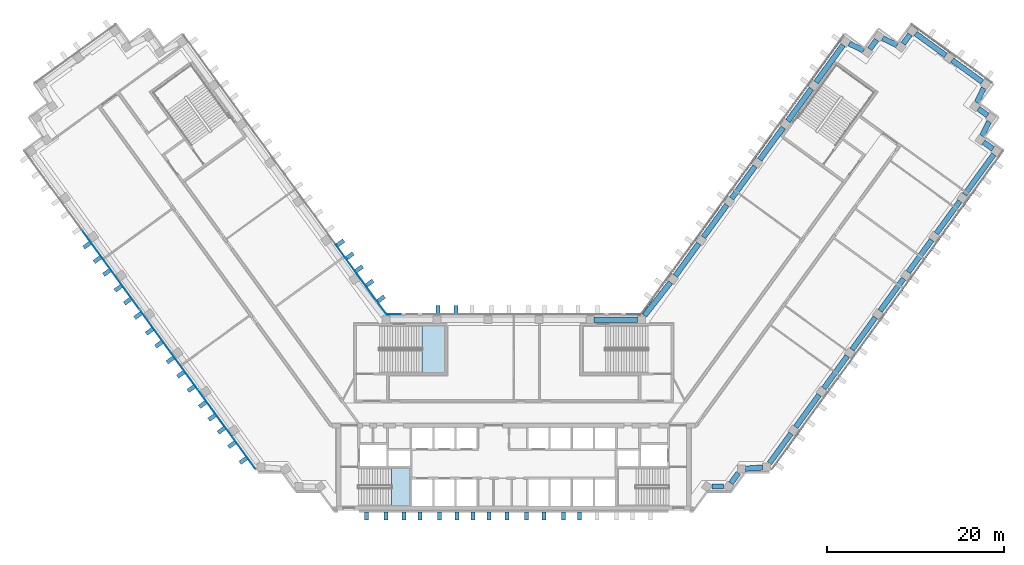
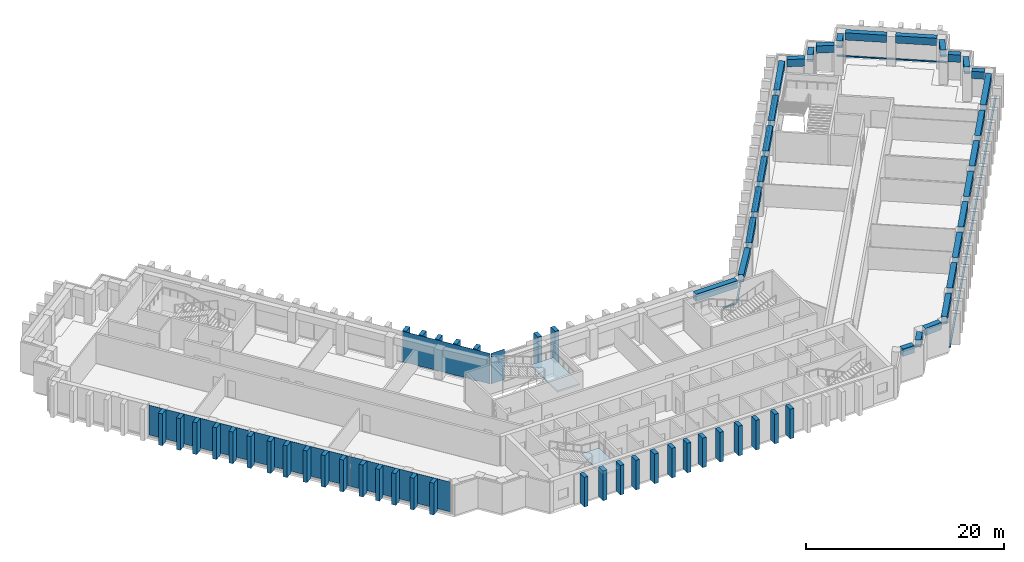
"""IFC4 building model written with IfcOpenShell, lengths in metres."""

import ifcopenshell
import ifcopenshell.guid

model = None  # the IFC model being written
_history = None  # IfcOwnerHistory: only IFC2X3 demands one
_inside = {}  # id of a spatial element -> (the spatial element, [elements in it])
_under = {}  # id of a project, library or spatial element -> (it, [spatial elements below it])
_declared = {}  # id of a project -> (the project, [libraries it declares])
_typed = {}  # id of a type object -> (the type object, [elements of that type])
_made_of = {}  # id of a material, layer set ... -> (it, [elements and type objects made of it])


def new_model(schema):
    """Start an empty IFC model of exactly this schema.

    Asked for "IFC4X3", IfcOpenShell would pick the latest addendum, in which some entities
    have other attributes; the version numbers below select the first issue.
    IFC2X3 requires an IfcOwnerHistory on every rooted entity: one is made here for all.
    """
    global model, _history
    if schema == "IFC4X3":
        model = ifcopenshell.file(schema_version=(4, 3, 0, 0))
    else:
        model = ifcopenshell.file(schema=schema)
    _inside.clear()
    _under.clear()
    _declared.clear()
    _typed.clear()
    _made_of.clear()
    _history = None
    if model.schema == "IFC2X3":
        org = make("IfcOrganization", Name="unknown")
        user = make(
            "IfcPersonAndOrganization",
            ThePerson=make("IfcPerson", FamilyName="unknown"),
            TheOrganization=org,
        )
        app = make(
            "IfcApplication",
            ApplicationDeveloper=org,
            Version="unknown",
            ApplicationFullName="unknown",
            ApplicationIdentifier="unknown",
        )
        _history = make(
            "IfcOwnerHistory",
            OwningUser=user,
            OwningApplication=app,
            ChangeAction="ADDED",
            CreationDate=0,
        )
    return model


def make(cls, **values):
    """One entity of the class cls with the attributes given. An attribute that is None is left unset."""
    return model.create_entity(
        cls, **{name: value for name, value in values.items() if value is not None}
    )


def rooted(cls, **values):
    """An entity with a GlobalId (a new one), such as an element, a storey or a relation."""
    return make(cls, GlobalId=ifcopenshell.guid.new(), OwnerHistory=_history, **values)


def si_unit(unit_type, name, prefix=None):
    """IfcSIUnit, for example si_unit("LENGTHUNIT", "METRE", prefix="MILLI")."""
    return make("IfcSIUnit", UnitType=unit_type, Prefix=prefix, Name=name)


def assignment(units):
    """IfcUnitAssignment: the units of a project."""
    return None if units is None else make("IfcUnitAssignment", Units=units)


def point(xyz):
    """IfcCartesianPoint."""
    return None if xyz is None else make("IfcCartesianPoint", Coordinates=xyz)


def direction(xyz):
    """IfcDirection."""
    return None if xyz is None else make("IfcDirection", DirectionRatios=xyz)


def frame(location, z_axis=None, x_axis=None):
    """IfcAxis2Placement3D, a coordinate frame: its origin and axes. An axis left out is left unset."""
    return make(
        "IfcAxis2Placement3D",
        Location=point(location),
        Axis=direction(z_axis),
        RefDirection=direction(x_axis),
    )


def frame_2d(location, x_axis=None):
    """IfcAxis2Placement2D, a coordinate frame in the plane: its origin and x axis."""
    return make(
        "IfcAxis2Placement2D", Location=point(location), RefDirection=direction(x_axis)
    )


def origin():
    """The frame at (0, 0, 0) with its axes left unset."""
    return frame((0.0, 0.0, 0.0))


def origin_2d():
    """The frame at (0, 0) in the plane with its x axis left unset."""
    return frame_2d((0.0, 0.0))


def place(relative_to, where):
    """IfcLocalPlacement: puts the frame where relative to a parent placement (None: the world)."""
    return make(
        "IfcLocalPlacement", PlacementRelTo=relative_to, RelativePlacement=where
    )


def context(
    kind, dimensions, precision=None, world=None, true_north=None, identifier=None
):
    """IfcGeometricRepresentationContext, for example the 3D "Model" context."""
    return make(
        "IfcGeometricRepresentationContext",
        ContextIdentifier=identifier,
        ContextType=kind,
        CoordinateSpaceDimension=dimensions,
        Precision=precision,
        WorldCoordinateSystem=world,
        TrueNorth=true_north,
    )


def subcontext(parent, identifier, kind, view, scale=None):
    """IfcGeometricRepresentationSubContext, for example "Body" below "Model"."""
    return make(
        "IfcGeometricRepresentationSubContext",
        ContextIdentifier=identifier,
        ContextType=kind,
        ParentContext=parent,
        TargetScale=scale,
        TargetView=view,
    )


def project(units=None, contexts=None):
    """IfcProject with its units and contexts."""
    return rooted(
        "IfcProject",
        Name="project",
        RepresentationContexts=contexts,
        UnitsInContext=assignment(units),
    )


def spatial(cls, under=None, at=None, **own):
    """A site, building, storey or space (cls), placed at a placement, below another one or the project."""
    s = rooted(cls, ObjectPlacement=at, **own)
    if under is not None:
        _under.setdefault(under.id(), (under, []))[1].append(s)
    return s


def polyline(points):
    """IfcPolyline through the points."""
    return make("IfcPolyline", Points=[point(p) for p in points])


def profile(cls, at=None, kind="AREA", **sizes):
    """A parametric profile (cls). Its sizes go by their IFC names, for example OverallWidth=200.0."""
    return make(cls, ProfileType=kind, Position=at, **sizes)


def rectangle(**sizes):
    """IfcRectangleProfileDef."""
    return profile("IfcRectangleProfileDef", **sizes)


def outline(outer, holes=None, kind="AREA"):
    """IfcArbitraryClosedProfileDef: a profile drawn as a closed curve; with holes, ...WithVoids."""
    if holes is None:
        return make("IfcArbitraryClosedProfileDef", ProfileType=kind, OuterCurve=outer)
    return make(
        "IfcArbitraryProfileDefWithVoids",
        ProfileType=kind,
        OuterCurve=outer,
        InnerCurves=holes,
    )


def extrude(swept, where, along, depth):
    """IfcExtrudedAreaSolid: the profile swept, set in the frame where, extruded along a direction by depth."""
    return make(
        "IfcExtrudedAreaSolid",
        SweptArea=swept,
        Position=where,
        ExtrudedDirection=direction(along),
        Depth=depth,
    )


def shape(context_of_items, identifier, shape_type, items):
    """IfcShapeRepresentation: the items that make up one representation, for example the "Body"."""
    return make(
        "IfcShapeRepresentation",
        ContextOfItems=context_of_items,
        RepresentationIdentifier=identifier,
        RepresentationType=shape_type,
        Items=items,
    )


def material(Name=None, Category=None):
    """IfcMaterial."""
    return make("IfcMaterial", Name=Name, Category=Category)


def layer(
    of_material, thickness, ventilated=None, Name=None, Category=None, Priority=None
):
    """IfcMaterialLayer: one layer of a wall or slab, of a material (None: an air gap)."""
    return make(
        "IfcMaterialLayer",
        Material=of_material,
        LayerThickness=thickness,
        IsVentilated=ventilated,
        Name=Name,
        Category=Category,
        Priority=Priority,
    )


def layer_set(layers, Name=None):
    """IfcMaterialLayerSet."""
    return make("IfcMaterialLayerSet", MaterialLayers=layers, LayerSetName=Name)


def material_profile(
    of_material, cross_section, Name=None, Category=None, Priority=None
):
    """IfcMaterialProfile: a cross section and its material."""
    return make(
        "IfcMaterialProfile",
        Name=Name,
        Material=of_material,
        Profile=cross_section,
        Priority=Priority,
        Category=Category,
    )


def profile_set(profiles, Name=None, composite=None):
    """IfcMaterialProfileSet."""
    return make(
        "IfcMaterialProfileSet",
        Name=Name,
        MaterialProfiles=profiles,
        CompositeProfile=composite,
    )


def made_of(thing, what):
    """Note that an element or type object is made of a material, layer set ...; save() writes the relation."""
    if what is not None:
        _made_of.setdefault(what.id(), (what, []))[1].append(thing)
    return thing


def type_object(cls, material=None, **own):
    """A type object (cls), such as IfcWallType, which elements share."""
    return made_of(rooted(cls, **own), material)


def element(
    cls,
    number,
    at=None,
    inside=None,
    cuts=None,
    type_object=None,
    material=None,
    context=None,
    identifier="Body",
    shape_type=None,
    held_by="IfcProductDefinitionShape",
    body=None,
    shapes=None,
    **own,
):
    """One element of the class cls, such as IfcWall. Its Tag is "e" and its number.

    at: its placement. inside: the storey or other place that contains it. cuts: it is an
    opening in that element (IfcRelVoidsElement). A single representation is given by context,
    identifier, shape_type and body (its items); several are given by shapes. held_by: the class
    of the entity that holds the representations. save() writes the other relations.
    """
    e = rooted(cls, Tag="e%d" % number, ObjectPlacement=at, **own)
    if body is not None:
        shapes = [shape(context, identifier, shape_type, body)]
    if shapes is not None:
        e.Representation = make(held_by, Representations=shapes)
    if inside is not None:
        _inside.setdefault(inside.id(), (inside, []))[1].append(e)
    if cuts is not None:
        rooted(
            "IfcRelVoidsElement", RelatingBuildingElement=cuts, RelatedOpeningElement=e
        )
    if type_object is not None:
        _typed.setdefault(type_object.id(), (type_object, []))[1].append(e)
    return made_of(e, material)


def aggregate(whole, parts):
    """IfcRelAggregates: a whole, such as a stair, and the parts it consists of."""
    return rooted("IfcRelAggregates", RelatingObject=whole, RelatedObjects=parts)


def save(model, path):
    """Write the relations noted so far, then the file.

    IfcRelAggregates (storeys below a building ...), IfcRelContainedInSpatialStructure (elements
    in a storey), IfcRelDefinesByType, IfcRelAssociatesMaterial and IfcRelDeclares: one each for
    every whole, place, type object, material and project.
    """
    for whole, parts in _under.values():
        aggregate(whole, parts)
    for where, things in _inside.values():
        rooted(
            "IfcRelContainedInSpatialStructure",
            RelatedElements=things,
            RelatingStructure=where,
        )
    for kind, things in _typed.values():
        rooted("IfcRelDefinesByType", RelatedObjects=things, RelatingType=kind)
    for what, things in _made_of.values():
        rooted("IfcRelAssociatesMaterial", RelatedObjects=things, RelatingMaterial=what)
    for by, libraries in _declared.values():
        rooted("IfcRelDeclares", RelatingContext=by, RelatedDefinitions=libraries)
    model.write(path)


model = new_model("IFC4")

# Units and contexts
model_context = context("Model", 3, precision=1e-05, world=origin(), true_north=direction((0.0, 1.0)))
body_context = subcontext(model_context, "Body", "Model", "MODEL_VIEW")
ifc_project = project(units=[si_unit("LENGTHUNIT", "METRE"), si_unit("AREAUNIT", "SQUARE_METRE"), si_unit("VOLUMEUNIT", "CUBIC_METRE"), si_unit("PLANEANGLEUNIT", "RADIAN"), si_unit("MASSUNIT", "GRAM", prefix="KILO")], contexts=[model_context])

# Site, building, storey
site_placement = place(None, origin())
site = spatial("IfcSite", under=ifc_project, at=site_placement, CompositionType="ELEMENT")
building_placement = place(site_placement, origin())
building = spatial("IfcBuilding", under=site, at=building_placement, Name="Quipu Civic Tower", CompositionType="ELEMENT")
storey_1_placement = place(building_placement, frame((0.0, 0.0, 31.0)))
storey_1 = spatial("IfcBuildingStorey", under=building, at=storey_1_placement, Name="L06", CompositionType="ELEMENT", Elevation=31.0)

# Beams
ifc_material_1 = material(Name="Concrete C50/60", Category="concrete")
ifc_material_profile_1 = material_profile(ifc_material_1, rectangle(XDim=0.60009765625, YDim=0.89990234375, at=origin_2d()), Name="RC600x900")
ifc_profile_set_1 = profile_set([ifc_material_profile_1], Name="Concrete C50/60")
beam_type = type_object("IfcBeamType", Name="Spandrel beam RC 600x900 C50/60", PredefinedType="SPANDREL", material=ifc_profile_set_1)
beam_1_placement = place(storey_1_placement, frame((22.34814453125, -8.31494140625, 3.199951171875), z_axis=(1.0, 0.0, 0.0), x_axis=(0.0, 1.0, 0.0)))
element("IfcBeam", 1, at=beam_1_placement, inside=storey_1, type_object=beam_type, Name="Spandrel beam L06 J-Eo.1 to J-Eo.2", PredefinedType="SPANDREL", context=body_context, shape_type="SweptSolid", body=[
    extrude(rectangle(XDim=0.60009765625, YDim=0.89990234375, at=origin_2d()), origin(), (0.0, 0.0, 1.0), 1.33056640625),
])
beam_2_placement = place(storey_1_placement, frame((24.499755859375, -7.951171875, 3.199951171875), z_axis=(0.588433824377, 0.808545381738, 0.0), x_axis=(-0.808545381738, 0.588433824377, 0.0)))
element("IfcBeam", 2, at=beam_2_placement, inside=storey_1, type_object=beam_type, Name="Spandrel beam L06 J-Eo.2 to J-Eo.3", PredefinedType="SPANDREL", context=body_context, shape_type="SweptSolid", body=[
    extrude(rectangle(XDim=0.60009765625, YDim=0.89990234375, at=origin_2d()), origin(), (0.0, 0.0, 1.0), 1.439697265625),
])
beam_3_placement = place(storey_1_placement, frame((26.12451171875, -6.304443359375, 3.199951171875), z_axis=(0.997365981169, 0.072533437859, 0.0), x_axis=(-0.072533437859, 0.997365981169, 0.0)))
element("IfcBeam", 3, at=beam_3_placement, inside=storey_1, type_object=beam_type, Name="Spandrel beam L06 J-Eo.3 to J-Eo.4", PredefinedType="SPANDREL", context=body_context, shape_type="SweptSolid", body=[
    extrude(rectangle(XDim=0.60009765625, YDim=0.89990234375, at=origin_2d()), origin(), (0.0, 0.0, 1.0), 1.95556640625),
])
beam_4_placement = place(storey_1_placement, frame((28.85205078125, -5.679931640625, 3.199951171875), z_axis=(0.587750565781, 0.809042194464, 0.0), x_axis=(-0.809042194464, 0.587750565781, 0.0)))
element("IfcBeam", 4, at=beam_4_placement, inside=storey_1, type_object=beam_type, Name="Spandrel beam L06 J-Eo.4 to E-OUT-01", PredefinedType="SPANDREL", context=body_context, shape_type="SweptSolid", body=[
    extrude(rectangle(XDim=0.60009765625, YDim=0.89990234375, at=origin_2d()), origin(), (0.0, 0.0, 1.0), 4.13720703125),
])
beam_5_placement = place(storey_1_placement, frame((31.812744140625, -1.604736328125, 3.199951171875), z_axis=(0.587778073121, 0.809022210299, 0.0), x_axis=(-0.809022210299, 0.587778073121, 0.0)))
element("IfcBeam", 5, at=beam_5_placement, inside=storey_1, type_object=beam_type, Name="Spandrel beam L06 E-OUT-01 to E-OUT-02", PredefinedType="SPANDREL", context=body_context, shape_type="SweptSolid", body=[
    extrude(rectangle(XDim=0.60009765625, YDim=0.89990234375, at=origin_2d()), origin(), (0.0, 0.0, 1.0), 4.5),
])
beam_6_placement = place(storey_1_placement, frame((34.98681640625, 2.76416015625, 3.199951171875), z_axis=(0.587803872688, 0.809003465539, 0.0), x_axis=(-0.809003465539, 0.587803872688, 0.0)))
element("IfcBeam", 6, at=beam_6_placement, inside=storey_1, type_object=beam_type, Name="Spandrel beam L06 E-OUT-02 to E-OUT-03", PredefinedType="SPANDREL", context=body_context, shape_type="SweptSolid", body=[
    extrude(rectangle(XDim=0.60009765625, YDim=0.89990234375, at=origin_2d()), origin(), (0.0, 0.0, 1.0), 4.499755859375),
])
for number, where, z_axis, x_axis, name in (
    (7, (38.160888671875, 7.1328125, 3.199951171875), (0.587778073121, 0.809022210299, 0.0), (-0.809022210299, 0.587778073121, 0.0), "Spandrel beam L06 E-OUT-03 to E-OUT-04"),
    (8, (41.3349609375, 11.50146484375, 3.199951171875), (0.587778073121, 0.809022210299, 0.0), (-0.809022210299, 0.587778073121, 0.0), "Spandrel beam L06 E-OUT-04 to E-OUT-05"),
):
    element("IfcBeam", number, at=place(storey_1_placement, frame(where, z_axis=z_axis, x_axis=x_axis)), inside=storey_1, type_object=beam_type, Name=name, PredefinedType="SPANDREL", context=body_context, shape_type="SweptSolid", body=[
        extrude(rectangle(XDim=0.60009765625, YDim=0.89990234375, at=origin_2d()), origin(), (0.0, 0.0, 1.0), 4.5),
    ])
beam_7_placement = place(storey_1_placement, frame((44.5087890625, 15.870361328125, 3.199951171875), z_axis=(0.587803872688, 0.809003465539, 0.0), x_axis=(-0.809003465539, 0.587803872688, 0.0)))
element("IfcBeam", 9, at=beam_7_placement, inside=storey_1, type_object=beam_type, Name="Spandrel beam L06 E-OUT-05 to E-OUT-06", PredefinedType="SPANDREL", context=body_context, shape_type="SweptSolid", body=[
    extrude(rectangle(XDim=0.60009765625, YDim=0.89990234375, at=origin_2d()), origin(), (0.0, 0.0, 1.0), 4.499755859375),
])
beam_8_placement = place(storey_1_placement, frame((47.682861328125, 20.23876953125, 3.199951171875), z_axis=(0.587778073121, 0.809022210299, 0.0), x_axis=(-0.809022210299, 0.587778073121, 0.0)))
element("IfcBeam", 10, at=beam_8_placement, inside=storey_1, type_object=beam_type, Name="Spandrel beam L06 E-OUT-06 to E-OUT-07", PredefinedType="SPANDREL", context=body_context, shape_type="SweptSolid", body=[
    extrude(rectangle(XDim=0.60009765625, YDim=0.89990234375, at=origin_2d()), origin(), (0.0, 0.0, 1.0), 4.5),
])
beam_9_placement = place(storey_1_placement, frame((50.85693359375, 24.607666015625, 3.199951171875), z_axis=(0.587772657145, 0.809026145135, 0.0), x_axis=(-0.809026145135, 0.587772657145, 0.0)))
element("IfcBeam", 11, at=beam_9_placement, inside=storey_1, type_object=beam_type, Name="Spandrel beam L06 E-OUT-07 to T-Eo.0-E50", PredefinedType="SPANDREL", context=body_context, shape_type="SweptSolid", body=[
    extrude(rectangle(XDim=0.60009765625, YDim=0.89990234375, at=origin_2d()), origin(), (0.0, 0.0, 1.0), 5.603271484375),
])
beam_10_placement = place(storey_1_placement, frame((54.051025390625, 29.769775390625, 3.199951171875), z_axis=(-0.808549242423, 0.588428519514, 0.0), x_axis=(-0.588428519514, -0.808549242423, 0.0)))
element("IfcBeam", 12, at=beam_10_placement, inside=storey_1, type_object=beam_type, Name="Spandrel beam L06 T-Eo.0-E50 to T-Eo.1-E50", PredefinedType="SPANDREL", context=body_context, shape_type="SweptSolid", body=[
    extrude(rectangle(XDim=0.60009765625, YDim=0.89990234375, at=origin_2d()), origin(), (0.0, 0.0, 1.0), 1.2998046875),
])
beam_11_placement = place(storey_1_placement, frame((52.83349609375, 31.21240234375, 3.199951171875), z_axis=(0.431446050156, 0.902138739776, 0.0), x_axis=(-0.902138739776, 0.431446050156, 0.0)))
element("IfcBeam", 13, at=beam_11_placement, inside=storey_1, type_object=beam_type, Name="Spandrel beam L06 T-Eo.1-E50 to T-Eo.2-E50", PredefinedType="SPANDREL", context=body_context, shape_type="SweptSolid", body=[
    extrude(rectangle(XDim=0.60009765625, YDim=0.89990234375, at=origin_2d()), origin(), (0.0, 0.0, 1.0), 1.828857421875),
])
beam_12_placement = place(storey_1_placement, frame((53.4560546875, 33.539794921875, 3.199951171875), z_axis=(-0.808509099783, 0.588483674853, 0.0), x_axis=(-0.588483674853, -0.808509099783, 0.0)))
element("IfcBeam", 14, at=beam_12_placement, inside=storey_1, type_object=beam_type, Name="Spandrel beam L06 T-Eo.2-E50 to T-Eo.3-E50", PredefinedType="SPANDREL", context=body_context, shape_type="SweptSolid", body=[
    extrude(rectangle(XDim=0.60009765625, YDim=0.89990234375, at=origin_2d()), origin(), (0.0, 0.0, 1.0), 1.302734375),
])
beam_13_placement = place(storey_1_placement, frame((52.23583984375, 34.984375, 3.199951171875), z_axis=(0.430166558323, 0.902749540072, 0.0), x_axis=(-0.902749540072, 0.430166558323, 0.0)))
element("IfcBeam", 15, at=beam_13_placement, inside=storey_1, type_object=beam_type, Name="Spandrel beam L06 T-Eo.3-E50 to T-Eo.4-E50", PredefinedType="SPANDREL", context=body_context, shape_type="SweptSolid", body=[
    extrude(rectangle(XDim=0.60009765625, YDim=0.89990234375, at=origin_2d()), origin(), (0.0, 0.0, 1.0), 1.830322265625),
])
beam_14_placement = place(storey_1_placement, frame((52.85595703125, 37.314453125, 3.199951171875), z_axis=(-0.808959834407, 0.587863918196, 0.0), x_axis=(-0.587863918196, -0.808959834407, 0.0)))
element("IfcBeam", 16, at=beam_14_placement, inside=storey_1, type_object=beam_type, Name="Spandrel beam L06 T-Eo.4-E50 to TIP-E-01-E50", PredefinedType="SPANDREL", context=body_context, shape_type="SweptSolid", body=[
    extrude(rectangle(XDim=0.60009765625, YDim=0.89990234375, at=origin_2d()), origin(), (0.0, 0.0, 1.0), 4.1982421875),
])
beam_15_placement = place(storey_1_placement, frame((48.731689453125, 40.3115234375, 3.199951171875), z_axis=(-0.808969789945, 0.58785021813, 0.0), x_axis=(-0.58785021813, -0.808969789945, 0.0)))
element("IfcBeam", 17, at=beam_15_placement, inside=storey_1, type_object=beam_type, Name="Spandrel beam L06 TIP-E-01-E50 to T-Ei.0-E50", PredefinedType="SPANDREL", context=body_context, shape_type="SweptSolid", body=[
    extrude(rectangle(XDim=0.60009765625, YDim=0.89990234375, at=origin_2d()), origin(), (0.0, 0.0, 1.0), 4.199951171875),
])
beam_16_placement = place(storey_1_placement, frame((44.705322265625, 42.68115234375, 3.199951171875), z_axis=(-0.588383572423, -0.808581951136, 0.0), x_axis=(0.808581951136, -0.588383572423, 0.0)))
element("IfcBeam", 18, at=beam_16_placement, inside=storey_1, type_object=beam_type, Name="Spandrel beam L06 T-Ei.0-E50 to T-Ei.1-E50", PredefinedType="SPANDREL", context=body_context, shape_type="SweptSolid", body=[
    extrude(rectangle(XDim=0.60009765625, YDim=0.89990234375, at=origin_2d()), origin(), (0.0, 0.0, 1.0), 1.3017578125),
])
beam_17_placement = place(storey_1_placement, frame((43.261474609375, 41.4619140625, 3.199951171875), z_axis=(-0.902613270121, 0.430452418511, 0.0), x_axis=(-0.430452418511, -0.902613270121, 0.0)))
element("IfcBeam", 19, at=beam_17_placement, inside=storey_1, type_object=beam_type, Name="Spandrel beam L06 T-Ei.1-E50 to T-Ei.2-E50", PredefinedType="SPANDREL", context=body_context, shape_type="SweptSolid", body=[
    extrude(rectangle(XDim=0.60009765625, YDim=0.89990234375, at=origin_2d()), origin(), (0.0, 0.0, 1.0), 1.826416015625),
])
beam_18_placement = place(storey_1_placement, frame((40.935302734375, 42.0810546875, 3.199951171875), z_axis=(-0.588461937499, -0.808524921146, 0.0), x_axis=(0.808524921146, -0.588461937499, 0.0)))
element("IfcBeam", 20, at=beam_18_placement, inside=storey_1, type_object=beam_type, Name="Spandrel beam L06 T-Ei.2-E50 to T-Ei.3-E50", PredefinedType="SPANDREL", context=body_context, shape_type="SweptSolid", body=[
    extrude(rectangle(XDim=0.60009765625, YDim=0.89990234375, at=origin_2d()), origin(), (0.0, 0.0, 1.0), 1.30029296875),
])
beam_19_placement = place(storey_1_placement, frame((39.492431640625, 40.863037109375, 3.199951171875), z_axis=(-0.90245397739, 0.430786279601, 0.0), x_axis=(-0.430786279601, -0.90245397739, 0.0)))
element("IfcBeam", 21, at=beam_19_placement, inside=storey_1, type_object=beam_type, Name="Spandrel beam L06 T-Ei.3-E50 to T-Ei.4-E50", PredefinedType="SPANDREL", context=body_context, shape_type="SweptSolid", body=[
    extrude(rectangle(XDim=0.60009765625, YDim=0.89990234375, at=origin_2d()), origin(), (0.0, 0.0, 1.0), 1.83349609375),
])
beam_20_placement = place(storey_1_placement, frame((37.160400390625, 41.48583984375, 3.199951171875), z_axis=(-0.587732861365, -0.80905505602, 0.0), x_axis=(0.80905505602, -0.587732861365, 0.0)))
element("IfcBeam", 22, at=beam_20_placement, inside=storey_1, type_object=beam_type, Name="Spandrel beam L06 T-Ei.4-E50 to E-IN-06", PredefinedType="SPANDREL", context=body_context, shape_type="SweptSolid", body=[
    extrude(rectangle(XDim=0.60009765625, YDim=0.89990234375, at=origin_2d()), origin(), (0.0, 0.0, 1.0), 5.194580078125),
])
for number, where, z_axis, x_axis, name in (
    (23, (33.578369140625, 36.55517578125, 3.199951171875), (-0.587716763865, -0.809066749701, 0.0), (0.809066749701, -0.587716763865, 0.0), "Spandrel beam L06 E-IN-06 to E-IN-05"),
    (24, (30.404541015625, 32.186279296875, 3.199951171875), (-0.587742561851, -0.809048009076, 0.0), (0.809048009076, -0.587742561851, 0.0), "Spandrel beam L06 E-IN-05 to E-IN-04"),
    (25, (27.230712890625, 27.8173828125, 3.199951171875), (-0.587778073121, -0.809022210299, 0.0), (0.809022210299, -0.587778073121, 0.0), "Spandrel beam L06 E-IN-04 to E-IN-03"),
    (26, (24.056884765625, 23.448486328125, 3.199951171875), (-0.587778073121, -0.809022210299, 0.0), (0.809022210299, -0.587778073121, 0.0), "Spandrel beam L06 E-IN-03 to E-IN-02"),
    (27, (20.8828125, 19.079833984375, 3.199951171875), (-0.587716763865, -0.809066749701, 0.0), (0.809066749701, -0.587716763865, 0.0), "Spandrel beam L06 E-IN-02 to E-IN-01"),
):
    element("IfcBeam", number, at=place(storey_1_placement, frame(where, z_axis=z_axis, x_axis=x_axis)), inside=storey_1, type_object=beam_type, Name=name, PredefinedType="SPANDREL", context=body_context, shape_type="SweptSolid", body=[
        extrude(rectangle(XDim=0.60009765625, YDim=0.89990234375, at=origin_2d()), origin(), (0.0, 0.0, 1.0), 4.5),
    ])
beam_21_placement = place(storey_1_placement, frame((17.6962890625, 14.72021484375, 3.199951171875), z_axis=(-0.616123961998, -0.787649200756, 0.0), x_axis=(0.787649200756, -0.616123961998, 0.0)))
element("IfcBeam", 28, at=beam_21_placement, inside=storey_1, type_object=beam_type, Name="Spandrel beam L06 E-IN-01 to J-Ei.0", PredefinedType="SPANDREL", context=body_context, shape_type="SweptSolid", body=[
    extrude(rectangle(XDim=0.60009765625, YDim=0.89990234375, at=origin_2d()), origin(), (0.0, 0.0, 1.0), 4.78662109375),
])
beam_22_placement = place(storey_1_placement, frame((13.9453125, 10.5, 3.199951171875), z_axis=(-1.0, 0.0, 0.0), x_axis=(0.0, -1.0, 0.0)))
element("IfcBeam", 29, at=beam_22_placement, inside=storey_1, type_object=beam_type, Name="Spandrel beam L06 J-Ei.0 to FRONT-01", PredefinedType="SPANDREL", context=body_context, shape_type="SweptSolid", body=[
    extrude(rectangle(XDim=0.60009765625, YDim=0.89990234375, at=origin_2d()), origin(), (0.0, 0.0, 1.0), 4.858154296875),
])

# Storey
storey_2_placement = place(building_placement, frame((0.0, 0.0, 35.0)))
storey_2 = spatial("IfcBuildingStorey", under=building, at=storey_2_placement, Name="L07", CompositionType="ELEMENT", Elevation=35.0)

# Curtain wall, members
ifc_material_2 = material(Name="Insulated glass unit", Category="glass")
curtain_wall_type = type_object("IfcCurtainWallType", Name="Office curtain wall CW1", PredefinedType="NOTDEFINED", material=ifc_material_2)
curtain_wall_1_placement = place(storey_2_placement, origin())
curtain_wall_1 = element("IfcCurtainWall", 30, at=curtain_wall_1_placement, inside=storey_2, type_object=curtain_wall_type, Name="Office curtain wall CW1 L06 run 16", PredefinedType="NOTDEFINED")
ifc_material_3 = material(Name="Anodised aluminium", Category="aluminium")
ifc_material_profile_2 = material_profile(ifc_material_3, rectangle(XDim=0.199951171875, YDim=0.159912109375, at=origin_2d()), Name="RECT 200x160")
ifc_profile_set_2 = profile_set([ifc_material_profile_2], Name="Anodised aluminium")
member_type = type_object("IfcMemberType", Name="Transom CW1", PredefinedType="USERDEFINED", material=ifc_profile_set_2)
member_1_placement = place(storey_1_placement, frame((29.10302734375, -6.35546875, 0.159912109375), z_axis=(0.587779179422, 0.809021406539, 0.0), x_axis=(-0.809021406539, 0.587779179422, 0.0)))
member_1 = element("IfcMember", 31, at=member_1_placement, inside=storey_1, type_object=member_type, Name="CW1 transom 1.1", ObjectType="TRANSOM", PredefinedType="USERDEFINED", context=body_context, shape_type="SweptSolid", body=[
    extrude(rectangle(XDim=0.199951171875, YDim=0.159912109375, at=origin_2d()), origin(), (0.0, 0.0, 1.0), 11.02294921875),
])
member_2_placement = place(storey_1_placement, frame((35.62890625, 2.626953125, 0.159912109375), z_axis=(0.587795037589, 0.80900988485, 0.0), x_axis=(-0.80900988485, 0.587795037589, 0.0)))
member_2 = element("IfcMember", 32, at=member_2_placement, inside=storey_1, type_object=member_type, Name="CW1 transom 2.1", ObjectType="TRANSOM", PredefinedType="USERDEFINED", context=body_context, shape_type="SweptSolid", body=[
    extrude(rectangle(XDim=0.199951171875, YDim=0.159912109375, at=origin_2d()), origin(), (0.0, 0.0, 1.0), 11.062744140625),
])
member_3_placement = place(storey_1_placement, frame((42.178466796875, 11.6416015625, 0.159912109375), z_axis=(0.587795037589, 0.80900988485, 0.0), x_axis=(-0.80900988485, 0.587795037589, 0.0)))
member_3 = element("IfcMember", 33, at=member_3_placement, inside=storey_1, type_object=member_type, Name="CW1 transom 3.1", ObjectType="TRANSOM", PredefinedType="USERDEFINED", context=body_context, shape_type="SweptSolid", body=[
    extrude(rectangle(XDim=0.199951171875, YDim=0.159912109375, at=origin_2d()), origin(), (0.0, 0.0, 1.0), 11.062744140625),
])
member_4_placement = place(storey_1_placement, frame((48.72802734375, 20.65625, 0.159912109375), z_axis=(0.587779179422, 0.809021406539, 0.0), x_axis=(-0.809021406539, 0.587779179422, 0.0)))
member_4 = element("IfcMember", 34, at=member_4_placement, inside=storey_1, type_object=member_type, Name="CW1 transom 4.1", ObjectType="TRANSOM", PredefinedType="USERDEFINED", context=body_context, shape_type="SweptSolid", body=[
    extrude(rectangle(XDim=0.199951171875, YDim=0.159912109375, at=origin_2d()), origin(), (0.0, 0.0, 1.0), 11.02294921875),
])
aggregate(curtain_wall_1, [member_1, member_2, member_3, member_4])

# Curtain wall, member
curtain_wall_2_placement = place(storey_2_placement, origin())
curtain_wall_2 = element("IfcCurtainWall", 35, at=curtain_wall_2_placement, inside=storey_2, type_object=curtain_wall_type, Name="Office curtain wall CW1 L06 run 21", PredefinedType="NOTDEFINED")
member_5_placement = place(storey_1_placement, frame((53.994873046875, 37.228515625, 0.159912109375), z_axis=(-0.809032792449, 0.587763507495, 0.0), x_axis=(-0.587763507495, -0.809032792449, 0.0)))
member_5 = element("IfcMember", 36, at=member_5_placement, inside=storey_1, type_object=member_type, Name="CW1 transom 1.1", ObjectType="TRANSOM", PredefinedType="USERDEFINED", context=body_context, shape_type="SweptSolid", body=[
    extrude(rectangle(XDim=0.199951171875, YDim=0.159912109375, at=origin_2d()), origin(), (0.0, 0.0, 1.0), 11.239990234375),
])
aggregate(curtain_wall_2, [member_5])

# Curtain wall, members
curtain_wall_3_placement = place(storey_2_placement, origin())
curtain_wall_3 = element("IfcCurtainWall", 37, at=curtain_wall_3_placement, inside=storey_2, type_object=curtain_wall_type, Name="Office curtain wall CW1 L06 run 26", PredefinedType="NOTDEFINED")
member_6_placement = place(storey_1_placement, frame((37.246826171875, 42.622802734375, 0.159912109375), z_axis=(-0.587775627857, -0.809023986849, 0.0), x_axis=(0.809023986849, -0.587775627857, 0.0)))
member_6 = element("IfcMember", 38, at=member_6_placement, inside=storey_1, type_object=member_type, Name="CW1 transom 1.1", ObjectType="TRANSOM", PredefinedType="USERDEFINED", context=body_context, shape_type="SweptSolid", body=[
    extrude(rectangle(XDim=0.199951171875, YDim=0.159912109375, at=origin_2d()), origin(), (0.0, 0.0, 1.0), 9.64111328125),
])
member_7_placement = place(storey_1_placement, frame((31.532958984375, 34.75830078125, 0.159912109375), z_axis=(-0.58778177227, -0.809019522748, 0.0), x_axis=(0.809019522748, -0.58778177227, 0.0)))
member_7 = element("IfcMember", 39, at=member_7_placement, inside=storey_1, type_object=member_type, Name="CW1 transom 2.1", ObjectType="TRANSOM", PredefinedType="USERDEFINED", context=body_context, shape_type="SweptSolid", body=[
    extrude(rectangle(XDim=0.199951171875, YDim=0.159912109375, at=origin_2d()), origin(), (0.0, 0.0, 1.0), 9.68115234375),
])
member_8_placement = place(storey_1_placement, frame((25.795654296875, 26.861328125, 0.159912109375), z_axis=(-0.587793764301, -0.80901080997, 0.0), x_axis=(0.80901080997, -0.587793764301, 0.0)))
member_8 = element("IfcMember", 40, at=member_8_placement, inside=storey_1, type_object=member_type, Name="CW1 transom 3.1", ObjectType="TRANSOM", PredefinedType="USERDEFINED", context=body_context, shape_type="SweptSolid", body=[
    extrude(rectangle(XDim=0.199951171875, YDim=0.159912109375, at=origin_2d()), origin(), (0.0, 0.0, 1.0), 9.680908203125),
])
member_9_placement = place(storey_1_placement, frame((20.05810546875, 18.964599609375, 0.159912109375), z_axis=(-0.58779220199, -0.809011945079, 0.0), x_axis=(0.809011945079, -0.58779220199, 0.0)))
member_9 = element("IfcMember", 41, at=member_9_placement, inside=storey_1, type_object=member_type, Name="CW1 transom 4.1", ObjectType="TRANSOM", PredefinedType="USERDEFINED", context=body_context, shape_type="SweptSolid", body=[
    extrude(rectangle(XDim=0.199951171875, YDim=0.159912109375, at=origin_2d()), origin(), (0.0, 0.0, 1.0), 9.64111328125),
])
aggregate(curtain_wall_3, [member_6, member_7, member_8, member_9])

# Curtain wall, member
curtain_wall_4_placement = place(storey_2_placement, origin())
curtain_wall_4 = element("IfcCurtainWall", 42, at=curtain_wall_4_placement, inside=storey_2, type_object=curtain_wall_type, Name="Office curtain wall CW1 L06 run 27", PredefinedType="NOTDEFINED")
member_10_placement = place(storey_1_placement, frame((14.26416015625, 11.10009765625, 0.159912109375), z_axis=(-1.0, 0.0, 0.0), x_axis=(0.0, -1.0, 0.0)))
member_10 = element("IfcMember", 43, at=member_10_placement, inside=storey_1, type_object=member_type, Name="CW1 transom 1.1", ObjectType="TRANSOM", PredefinedType="USERDEFINED", context=body_context, shape_type="SweptSolid", body=[
    extrude(rectangle(XDim=0.199951171875, YDim=0.159912109375, at=origin_2d()), origin(), (0.0, 0.0, 1.0), 1.529052734375),
])
aggregate(curtain_wall_4, [member_10])

# Curtain wall, plates
curtain_wall_5_placement = place(storey_1_placement, origin())
curtain_wall_5 = element("IfcCurtainWall", 44, at=curtain_wall_5_placement, inside=storey_1, type_object=curtain_wall_type, Name="Office curtain wall CW1 L06 run 4", PredefinedType="NOTDEFINED")
ifc_material_4 = material(Name="Insulated glass unit", Category="glass")
ifc_layer_1 = layer(ifc_material_4, 0.028076171875)
ifc_layer_set_1 = layer_set([ifc_layer_1], Name="Insulated glass unit")
plate_type_1 = type_object("IfcPlateType", Name="Glass panel CW1", PredefinedType="CURTAIN_PANEL", material=ifc_layer_set_1)
plate_1_placement = place(storey_1_placement, frame((-45.4296875, 16.11669921875, 0.240234375), z_axis=(0.0, 0.0, 1.0), x_axis=(0.587785559869, -0.809016770908, 0.0)))
plate_1 = element("IfcPlate", 45, at=plate_1_placement, type_object=plate_type_1, Name="CW1 panel 2.1", PredefinedType="CURTAIN_PANEL", context=body_context, shape_type="SweptSolid", body=[
    extrude(rectangle(XDim=11.062744140625, YDim=0.028076171875, at=origin_2d()), origin(), (0.0, 0.0, 1.0), 3.679931640625),
])
plate_2_placement = place(storey_1_placement, frame((-38.880126953125, 7.101806640625, 0.240234375), z_axis=(0.0, 0.0, 1.0), x_axis=(0.587785559869, -0.809016770908, 0.0)))
plate_2 = element("IfcPlate", 46, at=plate_2_placement, type_object=plate_type_1, Name="CW1 panel 3.1", PredefinedType="CURTAIN_PANEL", context=body_context, shape_type="SweptSolid", body=[
    extrude(rectangle(XDim=11.062744140625, YDim=0.028076171875, at=origin_2d()), origin(), (0.0, 0.0, 1.0), 3.679931640625),
])
plate_3_placement = place(storey_1_placement, frame((-32.342529296875, -1.896484375, 0.240234375), z_axis=(0.0, 0.0, 1.0), x_axis=(0.587785559869, -0.809016770908, 0.0)))
plate_3 = element("IfcPlate", 47, at=plate_3_placement, type_object=plate_type_1, Name="CW1 panel 4.1", PredefinedType="CURTAIN_PANEL", context=body_context, shape_type="SweptSolid", body=[
    extrude(rectangle(XDim=11.022705078125, YDim=0.028076171875, at=origin_2d()), origin(), (0.0, 0.0, 1.0), 3.679931640625),
])
aggregate(curtain_wall_5, [plate_1, plate_2, plate_3])

# Curtain wall, plate
curtain_wall_6_placement = place(storey_2_placement, origin())
curtain_wall_6 = element("IfcCurtainWall", 48, at=curtain_wall_6_placement, inside=storey_2, type_object=curtain_wall_type, Name="Office curtain wall CW1 L06 run 31", PredefinedType="NOTDEFINED")
plate_4_placement = place(storey_1_placement, frame((-13.49951171875, 11.10009765625, 0.240234375), z_axis=(0.0, 0.0, 1.0), x_axis=(-1.0, 0.0, 0.0)))
plate_4 = element("IfcPlate", 49, at=plate_4_placement, inside=storey_1, type_object=plate_type_1, Name="CW1 panel 1.1", PredefinedType="CURTAIN_PANEL", context=body_context, shape_type="SweptSolid", body=[
    extrude(rectangle(XDim=1.529296875, YDim=0.028076171875, at=origin_2d()), origin(), (0.0, 0.0, 1.0), 3.760009765625),
])
aggregate(curtain_wall_6, [plate_4])

curtain_wall_7_placement = place(storey_2_placement, origin())
curtain_wall_7 = element("IfcCurtainWall", 50, at=curtain_wall_7_placement, inside=storey_2, type_object=curtain_wall_type, Name="Office curtain wall CW1 L06 run 32", PredefinedType="NOTDEFINED")
plate_5_placement = place(storey_1_placement, frame((-17.224609375, 15.064697265625, 0.240234375), z_axis=(0.0, 0.0, 1.0), x_axis=(-0.587785887566, 0.809016532822, 0.0)))
plate_5 = element("IfcPlate", 51, at=plate_5_placement, inside=storey_1, type_object=plate_type_1, Name="CW1 panel 1.1", PredefinedType="CURTAIN_PANEL", context=body_context, shape_type="SweptSolid", body=[
    extrude(rectangle(XDim=9.64111328125, YDim=0.028076171875, at=origin_2d()), origin(), (0.0, 0.0, 1.0), 3.760009765625),
])
aggregate(curtain_wall_7, [plate_5])

# Plates
ifc_material_5 = material(Name="Precast concrete C40/50", Category="concrete")
plate_type_2 = type_object("IfcPlateType", Name="Precast fin F1", PredefinedType="SHEET", material=ifc_material_5)
for number, where, z_axis, x_axis, name in (
    (52, (-48.13134765625, 18.899169921875, 0.080078125), (0.0, 0.0, 1.0), (0.587785716149, -0.809016657363, 0.0), "Precast fin F1 L06.4.7"),
    (53, (-46.955810546875, 17.28125, 0.080078125), (0.0, 0.0, 1.0), (0.587785716149, -0.809016657363, 0.0), "Precast fin F1 L06.4.8"),
    (54, (-45.897705078125, 15.824951171875, 0.080078125), (0.0, 0.0, 1.0), (0.587785716149, -0.809016657363, 0.0), "Precast fin F1 L06.4.9"),
    (55, (-44.6044921875, 14.045166015625, 0.080078125), (0.0, 0.0, 1.0), (0.587785716149, -0.809016657363, 0.0), "Precast fin F1 L06.4.10"),
    (56, (-43.546630859375, 12.5888671875, 0.080078125), (0.0, 0.0, 1.0), (0.587785716149, -0.809016657363, 0.0), "Precast fin F1 L06.4.11"),
    (57, (-42.37109375, 10.970947265625, 0.080078125), (0.0, 0.0, 1.0), (0.587785716149, -0.809016657363, 0.0), "Precast fin F1 L06.4.12"),
    (58, (-41.077880859375, 9.191162109375, 0.080078125), (0.0, 0.0, 1.0), (0.587785716149, -0.809016657363, 0.0), "Precast fin F1 L06.4.13"),
    (59, (-40.019775390625, 7.73486328125, 0.080078125), (0.0, 0.0, 1.0), (0.587785716149, -0.809016657363, 0.0), "Precast fin F1 L06.4.14"),
    (60, (-38.726806640625, 5.955078125, 0.080078125), (0.0, 0.0, 1.0), (0.587785716149, -0.809016657363, 0.0), "Precast fin F1 L06.4.15"),
    (61, (-37.55126953125, 4.3369140625, 0.080078125), (0.0, 0.0, 1.0), (0.587785716149, -0.809016657363, 0.0), "Precast fin F1 L06.4.16"),
    (62, (-36.37548828125, 2.718994140625, 0.080078125), (0.0, 0.0, 1.0), (0.587785716149, -0.809016657363, 0.0), "Precast fin F1 L06.4.17"),
    (63, (-35.08251953125, 0.93896484375, 0.080078125), (0.0, 0.0, 1.0), (0.587785716149, -0.809016657363, 0.0), "Precast fin F1 L06.4.18"),
    (64, (-34.0244140625, -0.51708984375, 0.080078125), (0.0, 0.0, 1.0), (0.587785716149, -0.809016657363, 0.0), "Precast fin F1 L06.4.19"),
    (65, (-32.96630859375, -1.973388671875, 0.080078125), (0.0, 0.0, 1.0), (0.587785716149, -0.809016657363, 0.0), "Precast fin F1 L06.4.20"),
    (66, (-31.790771484375, -3.59130859375, 0.080078125), (0.0, 0.0, 1.0), (0.587785716149, -0.809016657363, 0.0), "Precast fin F1 L06.4.21"),
    (67, (-30.497802734375, -5.371337890625, 0.080078125), (0.0, 0.0, 1.0), (0.587785716149, -0.809016657363, 0.0), "Precast fin F1 L06.4.22"),
):
    element("IfcPlate", number, at=place(storey_1_placement, frame(where, z_axis=z_axis, x_axis=x_axis)), inside=storey_1, type_object=plate_type_2, Name=name, PredefinedType="SHEET", context=body_context, shape_type="SweptSolid", body=[
        extrude(rectangle(XDim=0.449951171875, YDim=0.89990234375, at=origin_2d()), origin(), (0.0, 0.0, 1.0), 3.919921875),
    ])
for number, where, z_axis, x_axis, name in (
    (68, (-16.574951171875, -11.637939453125, 0.0), (0.0, 0.0, 1.0), (1.0, 0.0, 0.0), "Precast fin F1 L06.10.1"),
    (69, (-14.375, -11.637939453125, 0.0), (0.0, 0.0, 1.0), (1.0, 0.0, 0.0), "Precast fin F1 L06.10.2"),
    (70, (-12.375, -11.637939453125, 0.0), (0.0, 0.0, 1.0), (1.0, 0.0, 0.0), "Precast fin F1 L06.10.3"),
    (71, (-10.574951171875, -11.637939453125, 0.0), (0.0, 0.0, 1.0), (1.0, 0.0, 0.0), "Precast fin F1 L06.10.4"),
    (72, (-8.375, -11.637939453125, 0.0), (0.0, 0.0, 1.0), (1.0, 0.0, 0.0), "Precast fin F1 L06.10.5"),
    (73, (-6.375, -11.637939453125, 0.0), (0.0, 0.0, 1.0), (1.0, 0.0, 0.0), "Precast fin F1 L06.10.6"),
    (74, (-4.574951171875, -11.637939453125, 0.0), (0.0, 0.0, 1.0), (1.0, 0.0, 0.0), "Precast fin F1 L06.10.7"),
    (75, (-2.77490234375, -11.637939453125, 0.0), (0.0, 0.0, 1.0), (1.0, 0.0, 0.0), "Precast fin F1 L06.10.8"),
    (76, (-0.77490234375, -11.637939453125, 0.0), (0.0, 0.0, 1.0), (1.0, 0.0, 0.0), "Precast fin F1 L06.10.9"),
    (77, (1.425048828125, -11.637939453125, 0.0), (0.0, 0.0, 1.0), (1.0, 0.0, 0.0), "Precast fin F1 L06.10.10"),
    (78, (3.425048828125, -11.637939453125, 0.0), (0.0, 0.0, 1.0), (1.0, 0.0, 0.0), "Precast fin F1 L06.10.11"),
    (79, (5.625, -11.637939453125, 0.0), (0.0, 0.0, 1.0), (1.0, 0.0, 0.0), "Precast fin F1 L06.10.12"),
    (80, (7.425048828125, -11.637939453125, 0.0), (0.0, 0.0, 1.0), (1.0, 0.0, 0.0), "Precast fin F1 L06.10.13"),
):
    element("IfcPlate", number, at=place(storey_1_placement, frame(where, z_axis=z_axis, x_axis=x_axis)), inside=storey_1, type_object=plate_type_2, Name=name, PredefinedType="SHEET", context=body_context, shape_type="SweptSolid", body=[
        extrude(rectangle(XDim=0.449951171875, YDim=0.89990234375, at=origin_2d()), origin(), (0.0, 0.0, 1.0), 3.64990234375),
    ])
for number, where, z_axis, x_axis, name in (
    (81, (-6.52490234375, 11.64990234375, 0.080078125), (0.0, 0.0, 1.0), (-1.0, 0.0, 0.0), "Precast fin F1 L06.29.9"),
    (82, (-8.52490234375, 11.64990234375, 0.080078125), (0.0, 0.0, 1.0), (-1.0, 0.0, 0.0), "Precast fin F1 L06.29.10"),
    (83, (-14.942138671875, 12.8583984375, 0.080078125), (0.0, 0.0, 1.0), (-0.587784944053, 0.809017218324, 0.0), "Precast fin F1 L06.32.1"),
    (84, (-16.235107421875, 14.638427734375, 0.080078125), (0.0, 0.0, 1.0), (-0.587784944053, 0.809017218324, 0.0), "Precast fin F1 L06.32.2"),
    (85, (-17.41064453125, 16.25634765625, 0.080078125), (0.0, 0.0, 1.0), (-0.587784944053, 0.809017218324, 0.0), "Precast fin F1 L06.32.3"),
    (86, (-18.46875, 17.712646484375, 0.080078125), (0.0, 0.0, 1.0), (-0.587784944053, 0.809017218324, 0.0), "Precast fin F1 L06.32.4"),
    (87, (-19.52685546875, 19.1689453125, 0.080078125), (0.0, 0.0, 1.0), (-0.587784944053, 0.809017218324, 0.0), "Precast fin F1 L06.32.5"),
):
    element("IfcPlate", number, at=place(storey_1_placement, frame(where, z_axis=z_axis, x_axis=x_axis)), inside=storey_1, type_object=plate_type_2, Name=name, PredefinedType="SHEET", context=body_context, shape_type="SweptSolid", body=[
        extrude(rectangle(XDim=0.449951171875, YDim=0.89990234375, at=origin_2d()), origin(), (0.0, 0.0, 1.0), 3.919921875),
    ])

# Stair, slab
ifc_material_6 = material(Name="Concrete C40/50", Category="concrete")
stair_type_1 = type_object("IfcStairType", Name="Half turn stair 2000", PredefinedType="HALF_TURN_STAIR", material=ifc_material_6)
stair_1_placement = place(storey_1_placement, origin())
stair_1 = element("IfcStair", 88, at=stair_1_placement, inside=storey_1, type_object=stair_type_1, Name="Exit stair 1", PredefinedType="HALF_TURN_STAIR")
ifc_material_7 = material(Name="Concrete C40/50", Category="concrete")
ifc_layer_2 = layer(ifc_material_7, 0.199951171875)
ifc_layer_set_2 = layer_set([ifc_layer_2], Name="Concrete C40/50")
slab_type = type_object("IfcSlabType", Name="Stair landing 200", PredefinedType="LANDING", material=ifc_layer_set_2)
slab_1_placement = place(storey_1_placement, frame((0.0, 0.0, 1.800048828125)))
slab_1 = element("IfcSlab", 89, at=slab_1_placement, type_object=slab_type, Name="ST-1 landing 1", PredefinedType="LANDING", context=body_context, shape_type="SweptSolid", body=[
    extrude(outline(polyline([(-13.780029296875, -10.5), (-11.699951171875, -10.5), (-11.699951171875, -6.25), (-13.780029296875, -6.25), (-13.780029296875, -10.5)])), origin(), (0.0, 0.0, 1.0), 0.199951171875),
])
aggregate(stair_1, [slab_1])

ifc_material_8 = material(Name="Concrete C40/50", Category="concrete")
stair_type_2 = type_object("IfcStairType", Name="Half turn stair 2600", PredefinedType="HALF_TURN_STAIR", material=ifc_material_8)
stair_2_placement = place(storey_1_placement, origin())
stair_2 = element("IfcStair", 90, at=stair_2_placement, inside=storey_1, type_object=stair_type_2, Name="Exit stair 3", PredefinedType="HALF_TURN_STAIR")
slab_2_placement = place(storey_1_placement, frame((0.0, 0.0, 1.800048828125)))
slab_2 = element("IfcSlab", 91, at=slab_2_placement, type_object=slab_type, Name="ST-3 landing 1", PredefinedType="LANDING", context=body_context, shape_type="SweptSolid", body=[
    extrude(outline(polyline([(-10.35009765625, 4.5), (-7.75, 4.5), (-7.75, 9.85009765625), (-10.35009765625, 9.85009765625), (-10.35009765625, 4.5)])), origin(), (0.0, 0.0, 1.0), 0.199951171875),
])
aggregate(stair_2, [slab_2])

save(model, "model.ifc")
